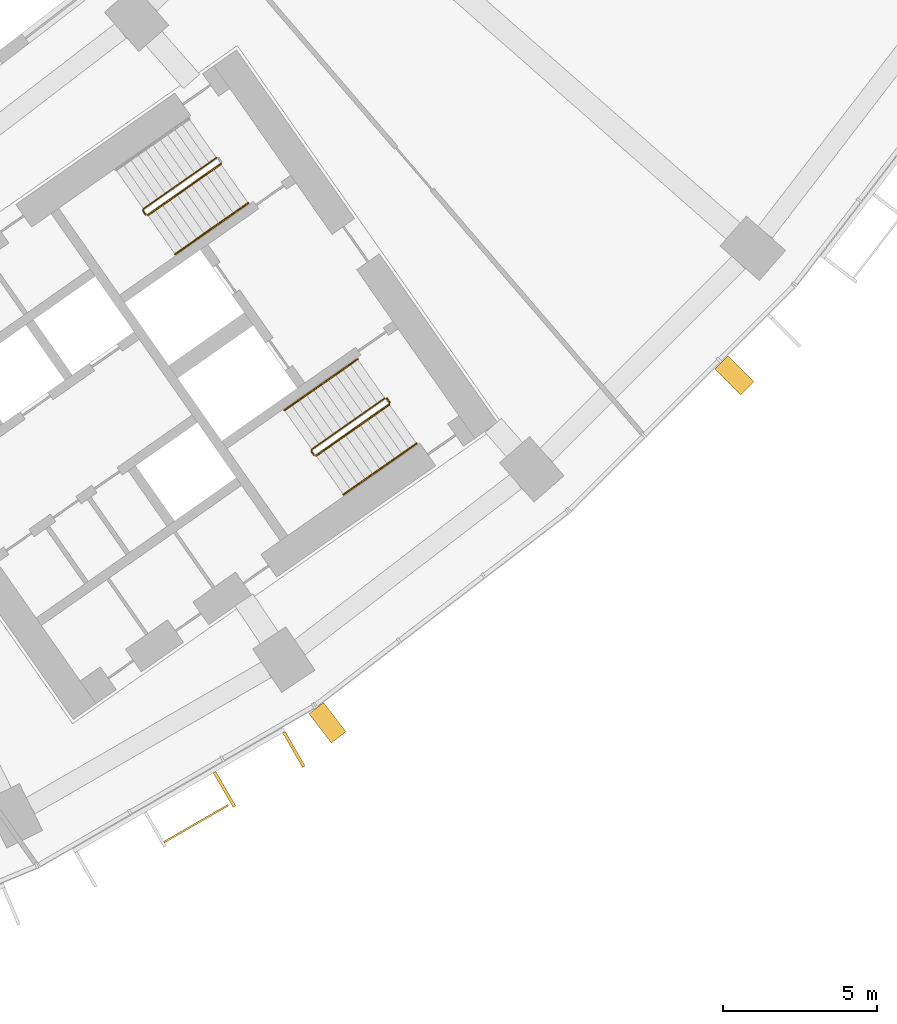
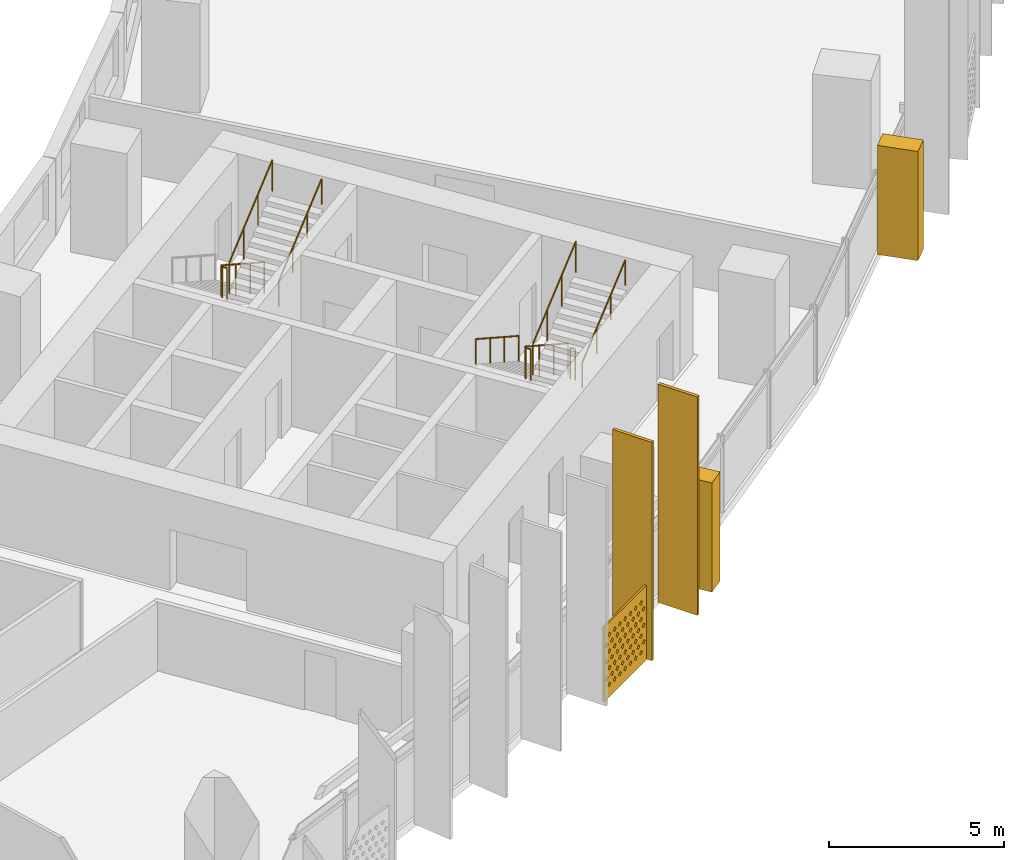
# One storey, part 31 of 32: 8 railings, 5 shading devices.
"""IFC4 building model written with IfcOpenShell, lengths in metres."""

from ifc_helpers import new_model, si_unit, direction, frame, origin, origin_2d, place, context, subcontext, project, spatial, polyline, rectangle, circle, outline, extrude, material, material_profile, profile_set, type_object, element, save


model = new_model("IFC4")

# Units and contexts
model_context = context("Model", 3, precision=1e-05, world=origin(), true_north=direction((0.0, 1.0)))
body_context = subcontext(model_context, "Body", "Model", "MODEL_VIEW")
ifc_project = project(units=[si_unit("LENGTHUNIT", "METRE"), si_unit("AREAUNIT", "SQUARE_METRE"), si_unit("VOLUMEUNIT", "CUBIC_METRE"), si_unit("PLANEANGLEUNIT", "RADIAN"), si_unit("MASSUNIT", "GRAM", prefix="KILO")], contexts=[model_context])

# Site, building, storey
site_placement = place(None, origin())
site = spatial("IfcSite", under=ifc_project, at=site_placement, CompositionType="ELEMENT")
building_placement = place(site_placement, origin())
building = spatial("IfcBuilding", under=site, at=building_placement, Name="Qamariyya Broadcast Tower", CompositionType="ELEMENT")
storey_placement = place(building_placement, frame((0.0, 0.0, 63.300048828125)))
storey = spatial("IfcBuildingStorey", under=building, at=storey_placement, Name="L12", CompositionType="ELEMENT", Elevation=63.300048828125)

# Shading devices
ifc_material_1 = material(Name="Steel S355 powder coated deep red", Category="steel")
shading_device_type_1 = type_object("IfcShadingDeviceType", Name="Deep red frame, powder coated steel box section", PredefinedType="USERDEFINED", material=ifc_material_1)
shading_device_1_placement = place(storey_placement, origin())
element("IfcShadingDevice", 1, at=shading_device_1_placement, inside=storey, type_object=shading_device_type_1, Name="e-frm-B1-F5-posta-L12", ObjectType="FRAME", PredefinedType="USERDEFINED", context=body_context, shape_type="SweptSolid", body=[
    extrude(outline(polyline([(44.01318359375, -66.4091796875), (44.74365234375, -67.361328125), (45.2197265625, -66.995849609375), (44.4892578125, -66.0439453125), (44.01318359375, -66.4091796875)])), origin(), (0.0, 0.0, 1.0), 3.800048828125),
])
shading_device_2_placement = place(storey_placement, origin())
element("IfcShadingDevice", 2, at=shading_device_2_placement, inside=storey, type_object=shading_device_type_1, Name="e-frm-B1-F5-postb-L12", ObjectType="FRAME", PredefinedType="USERDEFINED", context=body_context, shape_type="SweptSolid", body=[
    extrude(outline(polyline([(57.21630859375, -55.184814453125), (58.064697265625, -56.033203125), (58.489013671875, -55.60888671875), (57.640380859375, -54.760498046875), (57.21630859375, -55.184814453125)])), origin(), (0.0, 0.0, 1.0), 3.800048828125),
])
ifc_material_2 = material(Name="Perforated glazed terracotta", Category="masonry")
ifc_material_profile_1 = material_profile(ifc_material_2, outline(polyline([(-1.199951171875, -1.300048828125), (1.199951171875, -1.300048828125), (1.199951171875, 1.300048828125), (-1.199951171875, 1.300048828125), (-1.199951171875, -1.300048828125)]), holes=[polyline([(-0.81494140625, -0.86669921875), (-0.89990234375, -0.78173828125), (-0.985107421875, -0.86669921875), (-0.89990234375, -0.95166015625), (-0.81494140625, -0.86669921875)]), polyline([(-0.514892578125, -0.86669921875), (-0.60009765625, -0.78173828125), (-0.68505859375, -0.86669921875), (-0.60009765625, -0.95166015625), (-0.514892578125, -0.86669921875)]), polyline([(-0.215087890625, -0.86669921875), (-0.300048828125, -0.78173828125), (-0.385009765625, -0.86669921875), (-0.300048828125, -0.95166015625), (-0.215087890625, -0.86669921875)]), polyline([(0.0849609375, -0.86669921875), (0.0, -0.78173828125), (-0.0849609375, -0.86669921875), (0.0, -0.95166015625), (0.0849609375, -0.86669921875)]), polyline([(0.385009765625, -0.86669921875), (0.300048828125, -0.78173828125), (0.215087890625, -0.86669921875), (0.300048828125, -0.95166015625), (0.385009765625, -0.86669921875)]), polyline([(0.68505859375, -0.86669921875), (0.60009765625, -0.78173828125), (0.514892578125, -0.86669921875), (0.60009765625, -0.95166015625), (0.68505859375, -0.86669921875)]), polyline([(0.985107421875, -0.86669921875), (0.89990234375, -0.78173828125), (0.81494140625, -0.86669921875), (0.89990234375, -0.95166015625), (0.985107421875, -0.86669921875)]), polyline([(-0.965087890625, -0.577880859375), (-1.050048828125, -0.49267578125), (-1.135009765625, -0.577880859375), (-1.050048828125, -0.662841796875), (-0.965087890625, -0.577880859375)]), polyline([(-0.6650390625, -0.577880859375), (-0.75, -0.49267578125), (-0.8349609375, -0.577880859375), (-0.75, -0.662841796875), (-0.6650390625, -0.577880859375)]), polyline([(-0.364990234375, -0.577880859375), (-0.449951171875, -0.49267578125), (-0.534912109375, -0.577880859375), (-0.449951171875, -0.662841796875), (-0.364990234375, -0.577880859375)]), polyline([(-0.06494140625, -0.577880859375), (-0.14990234375, -0.49267578125), (-0.235107421875, -0.577880859375), (-0.14990234375, -0.662841796875), (-0.06494140625, -0.577880859375)]), polyline([(0.235107421875, -0.577880859375), (0.14990234375, -0.49267578125), (0.06494140625, -0.577880859375), (0.14990234375, -0.662841796875), (0.235107421875, -0.577880859375)]), polyline([(0.534912109375, -0.577880859375), (0.449951171875, -0.49267578125), (0.364990234375, -0.577880859375), (0.449951171875, -0.662841796875), (0.534912109375, -0.577880859375)]), polyline([(0.8349609375, -0.577880859375), (0.75, -0.49267578125), (0.6650390625, -0.577880859375), (0.75, -0.662841796875), (0.8349609375, -0.577880859375)]), polyline([(1.135009765625, -0.577880859375), (1.050048828125, -0.49267578125), (0.965087890625, -0.577880859375), (1.050048828125, -0.662841796875), (1.135009765625, -0.577880859375)]), polyline([(-0.81494140625, -0.288818359375), (-0.89990234375, -0.203857421875), (-0.985107421875, -0.288818359375), (-0.89990234375, -0.373779296875), (-0.81494140625, -0.288818359375)]), polyline([(-0.514892578125, -0.288818359375), (-0.60009765625, -0.203857421875), (-0.68505859375, -0.288818359375), (-0.60009765625, -0.373779296875), (-0.514892578125, -0.288818359375)]), polyline([(-0.215087890625, -0.288818359375), (-0.300048828125, -0.203857421875), (-0.385009765625, -0.288818359375), (-0.300048828125, -0.373779296875), (-0.215087890625, -0.288818359375)]), polyline([(0.0849609375, -0.288818359375), (0.0, -0.203857421875), (-0.0849609375, -0.288818359375), (0.0, -0.373779296875), (0.0849609375, -0.288818359375)]), polyline([(0.385009765625, -0.288818359375), (0.300048828125, -0.203857421875), (0.215087890625, -0.288818359375), (0.300048828125, -0.373779296875), (0.385009765625, -0.288818359375)]), polyline([(0.68505859375, -0.288818359375), (0.60009765625, -0.203857421875), (0.514892578125, -0.288818359375), (0.60009765625, -0.373779296875), (0.68505859375, -0.288818359375)]), polyline([(0.985107421875, -0.288818359375), (0.89990234375, -0.203857421875), (0.81494140625, -0.288818359375), (0.89990234375, -0.373779296875), (0.985107421875, -0.288818359375)]), polyline([(-0.965087890625, 0.0), (-1.050048828125, 0.0849609375), (-1.135009765625, 0.0), (-1.050048828125, -0.0849609375), (-0.965087890625, 0.0)]), polyline([(-0.6650390625, 0.0), (-0.75, 0.0849609375), (-0.8349609375, 0.0), (-0.75, -0.0849609375), (-0.6650390625, 0.0)]), polyline([(-0.364990234375, 0.0), (-0.449951171875, 0.0849609375), (-0.534912109375, 0.0), (-0.449951171875, -0.0849609375), (-0.364990234375, 0.0)]), polyline([(-0.06494140625, 0.0), (-0.14990234375, 0.0849609375), (-0.235107421875, 0.0), (-0.14990234375, -0.0849609375), (-0.06494140625, 0.0)]), polyline([(0.235107421875, 0.0), (0.14990234375, 0.0849609375), (0.06494140625, 0.0), (0.14990234375, -0.0849609375), (0.235107421875, 0.0)]), polyline([(0.534912109375, 0.0), (0.449951171875, 0.0849609375), (0.364990234375, 0.0), (0.449951171875, -0.0849609375), (0.534912109375, 0.0)]), polyline([(0.8349609375, 0.0), (0.75, 0.0849609375), (0.6650390625, 0.0), (0.75, -0.0849609375), (0.8349609375, 0.0)]), polyline([(1.135009765625, 0.0), (1.050048828125, 0.0849609375), (0.965087890625, 0.0), (1.050048828125, -0.0849609375), (1.135009765625, 0.0)]), polyline([(-0.81494140625, 0.288818359375), (-0.89990234375, 0.373779296875), (-0.985107421875, 0.288818359375), (-0.89990234375, 0.203857421875), (-0.81494140625, 0.288818359375)]), polyline([(-0.514892578125, 0.288818359375), (-0.60009765625, 0.373779296875), (-0.68505859375, 0.288818359375), (-0.60009765625, 0.203857421875), (-0.514892578125, 0.288818359375)]), polyline([(-0.215087890625, 0.288818359375), (-0.300048828125, 0.373779296875), (-0.385009765625, 0.288818359375), (-0.300048828125, 0.203857421875), (-0.215087890625, 0.288818359375)]), polyline([(0.0849609375, 0.288818359375), (0.0, 0.373779296875), (-0.0849609375, 0.288818359375), (0.0, 0.203857421875), (0.0849609375, 0.288818359375)]), polyline([(0.385009765625, 0.288818359375), (0.300048828125, 0.373779296875), (0.215087890625, 0.288818359375), (0.300048828125, 0.203857421875), (0.385009765625, 0.288818359375)]), polyline([(0.68505859375, 0.288818359375), (0.60009765625, 0.373779296875), (0.514892578125, 0.288818359375), (0.60009765625, 0.203857421875), (0.68505859375, 0.288818359375)]), polyline([(0.985107421875, 0.288818359375), (0.89990234375, 0.373779296875), (0.81494140625, 0.288818359375), (0.89990234375, 0.203857421875), (0.985107421875, 0.288818359375)]), polyline([(-0.965087890625, 0.577880859375), (-1.050048828125, 0.662841796875), (-1.135009765625, 0.577880859375), (-1.050048828125, 0.49267578125), (-0.965087890625, 0.577880859375)]), polyline([(-0.6650390625, 0.577880859375), (-0.75, 0.662841796875), (-0.8349609375, 0.577880859375), (-0.75, 0.49267578125), (-0.6650390625, 0.577880859375)]), polyline([(-0.364990234375, 0.577880859375), (-0.449951171875, 0.662841796875), (-0.534912109375, 0.577880859375), (-0.449951171875, 0.49267578125), (-0.364990234375, 0.577880859375)]), polyline([(-0.06494140625, 0.577880859375), (-0.14990234375, 0.662841796875), (-0.235107421875, 0.577880859375), (-0.14990234375, 0.49267578125), (-0.06494140625, 0.577880859375)]), polyline([(0.235107421875, 0.577880859375), (0.14990234375, 0.662841796875), (0.06494140625, 0.577880859375), (0.14990234375, 0.49267578125), (0.235107421875, 0.577880859375)]), polyline([(0.534912109375, 0.577880859375), (0.449951171875, 0.662841796875), (0.364990234375, 0.577880859375), (0.449951171875, 0.49267578125), (0.534912109375, 0.577880859375)]), polyline([(0.8349609375, 0.577880859375), (0.75, 0.662841796875), (0.6650390625, 0.577880859375), (0.75, 0.49267578125), (0.8349609375, 0.577880859375)]), polyline([(1.135009765625, 0.577880859375), (1.050048828125, 0.662841796875), (0.965087890625, 0.577880859375), (1.050048828125, 0.49267578125), (1.135009765625, 0.577880859375)]), polyline([(-0.81494140625, 0.86669921875), (-0.89990234375, 0.95166015625), (-0.985107421875, 0.86669921875), (-0.89990234375, 0.78173828125), (-0.81494140625, 0.86669921875)]), polyline([(-0.514892578125, 0.86669921875), (-0.60009765625, 0.95166015625), (-0.68505859375, 0.86669921875), (-0.60009765625, 0.78173828125), (-0.514892578125, 0.86669921875)]), polyline([(-0.215087890625, 0.86669921875), (-0.300048828125, 0.95166015625), (-0.385009765625, 0.86669921875), (-0.300048828125, 0.78173828125), (-0.215087890625, 0.86669921875)]), polyline([(0.0849609375, 0.86669921875), (0.0, 0.95166015625), (-0.0849609375, 0.86669921875), (0.0, 0.78173828125), (0.0849609375, 0.86669921875)]), polyline([(0.385009765625, 0.86669921875), (0.300048828125, 0.95166015625), (0.215087890625, 0.86669921875), (0.300048828125, 0.78173828125), (0.385009765625, 0.86669921875)]), polyline([(0.68505859375, 0.86669921875), (0.60009765625, 0.95166015625), (0.514892578125, 0.86669921875), (0.60009765625, 0.78173828125), (0.68505859375, 0.86669921875)]), polyline([(0.985107421875, 0.86669921875), (0.89990234375, 0.95166015625), (0.81494140625, 0.86669921875), (0.89990234375, 0.78173828125), (0.985107421875, 0.86669921875)])]))
ifc_profile_set_1 = profile_set([ifc_material_profile_1], Name="Perforated glazed terracotta")
shading_device_type_2 = type_object("IfcShadingDeviceType", Name="Perforated terracotta screen 2400 x 2600", PredefinedType="USERDEFINED", material=ifc_profile_set_1)
shading_device_3_placement = place(storey_placement, frame((40.329345703125, -69.957275390625, 1.349853515625), z_axis=(0.500074377092, -0.865982457891, 0.0), x_axis=(0.865982457891, 0.500074377092, 0.0)))
element("IfcShadingDevice", 3, at=shading_device_3_placement, inside=storey, type_object=shading_device_type_2, Name="e-scr-L12-12-1", ObjectType="SCREEN", PredefinedType="USERDEFINED", context=body_context, shape_type="SweptSolid", body=[
    extrude(outline(polyline([(-1.199951171875, -1.300048828125), (1.199951171875, -1.300048828125), (1.199951171875, 1.300048828125), (-1.199951171875, 1.300048828125), (-1.199951171875, -1.300048828125)]), holes=[polyline([(-0.81494140625, -0.86669921875), (-0.89990234375, -0.78173828125), (-0.985107421875, -0.86669921875), (-0.89990234375, -0.95166015625), (-0.81494140625, -0.86669921875)]), polyline([(-0.514892578125, -0.86669921875), (-0.60009765625, -0.78173828125), (-0.68505859375, -0.86669921875), (-0.60009765625, -0.95166015625), (-0.514892578125, -0.86669921875)]), polyline([(-0.215087890625, -0.86669921875), (-0.300048828125, -0.78173828125), (-0.385009765625, -0.86669921875), (-0.300048828125, -0.95166015625), (-0.215087890625, -0.86669921875)]), polyline([(0.0849609375, -0.86669921875), (0.0, -0.78173828125), (-0.0849609375, -0.86669921875), (0.0, -0.95166015625), (0.0849609375, -0.86669921875)]), polyline([(0.385009765625, -0.86669921875), (0.300048828125, -0.78173828125), (0.215087890625, -0.86669921875), (0.300048828125, -0.95166015625), (0.385009765625, -0.86669921875)]), polyline([(0.68505859375, -0.86669921875), (0.60009765625, -0.78173828125), (0.514892578125, -0.86669921875), (0.60009765625, -0.95166015625), (0.68505859375, -0.86669921875)]), polyline([(0.985107421875, -0.86669921875), (0.89990234375, -0.78173828125), (0.81494140625, -0.86669921875), (0.89990234375, -0.95166015625), (0.985107421875, -0.86669921875)]), polyline([(-0.965087890625, -0.577880859375), (-1.050048828125, -0.49267578125), (-1.135009765625, -0.577880859375), (-1.050048828125, -0.662841796875), (-0.965087890625, -0.577880859375)]), polyline([(-0.6650390625, -0.577880859375), (-0.75, -0.49267578125), (-0.8349609375, -0.577880859375), (-0.75, -0.662841796875), (-0.6650390625, -0.577880859375)]), polyline([(-0.364990234375, -0.577880859375), (-0.449951171875, -0.49267578125), (-0.534912109375, -0.577880859375), (-0.449951171875, -0.662841796875), (-0.364990234375, -0.577880859375)]), polyline([(-0.06494140625, -0.577880859375), (-0.14990234375, -0.49267578125), (-0.235107421875, -0.577880859375), (-0.14990234375, -0.662841796875), (-0.06494140625, -0.577880859375)]), polyline([(0.235107421875, -0.577880859375), (0.14990234375, -0.49267578125), (0.06494140625, -0.577880859375), (0.14990234375, -0.662841796875), (0.235107421875, -0.577880859375)]), polyline([(0.534912109375, -0.577880859375), (0.449951171875, -0.49267578125), (0.364990234375, -0.577880859375), (0.449951171875, -0.662841796875), (0.534912109375, -0.577880859375)]), polyline([(0.8349609375, -0.577880859375), (0.75, -0.49267578125), (0.6650390625, -0.577880859375), (0.75, -0.662841796875), (0.8349609375, -0.577880859375)]), polyline([(1.135009765625, -0.577880859375), (1.050048828125, -0.49267578125), (0.965087890625, -0.577880859375), (1.050048828125, -0.662841796875), (1.135009765625, -0.577880859375)]), polyline([(-0.81494140625, -0.288818359375), (-0.89990234375, -0.203857421875), (-0.985107421875, -0.288818359375), (-0.89990234375, -0.373779296875), (-0.81494140625, -0.288818359375)]), polyline([(-0.514892578125, -0.288818359375), (-0.60009765625, -0.203857421875), (-0.68505859375, -0.288818359375), (-0.60009765625, -0.373779296875), (-0.514892578125, -0.288818359375)]), polyline([(-0.215087890625, -0.288818359375), (-0.300048828125, -0.203857421875), (-0.385009765625, -0.288818359375), (-0.300048828125, -0.373779296875), (-0.215087890625, -0.288818359375)]), polyline([(0.0849609375, -0.288818359375), (0.0, -0.203857421875), (-0.0849609375, -0.288818359375), (0.0, -0.373779296875), (0.0849609375, -0.288818359375)]), polyline([(0.385009765625, -0.288818359375), (0.300048828125, -0.203857421875), (0.215087890625, -0.288818359375), (0.300048828125, -0.373779296875), (0.385009765625, -0.288818359375)]), polyline([(0.68505859375, -0.288818359375), (0.60009765625, -0.203857421875), (0.514892578125, -0.288818359375), (0.60009765625, -0.373779296875), (0.68505859375, -0.288818359375)]), polyline([(0.985107421875, -0.288818359375), (0.89990234375, -0.203857421875), (0.81494140625, -0.288818359375), (0.89990234375, -0.373779296875), (0.985107421875, -0.288818359375)]), polyline([(-0.965087890625, 0.0), (-1.050048828125, 0.0849609375), (-1.135009765625, 0.0), (-1.050048828125, -0.0849609375), (-0.965087890625, 0.0)]), polyline([(-0.6650390625, 0.0), (-0.75, 0.0849609375), (-0.8349609375, 0.0), (-0.75, -0.0849609375), (-0.6650390625, 0.0)]), polyline([(-0.364990234375, 0.0), (-0.449951171875, 0.0849609375), (-0.534912109375, 0.0), (-0.449951171875, -0.0849609375), (-0.364990234375, 0.0)]), polyline([(-0.06494140625, 0.0), (-0.14990234375, 0.0849609375), (-0.235107421875, 0.0), (-0.14990234375, -0.0849609375), (-0.06494140625, 0.0)]), polyline([(0.235107421875, 0.0), (0.14990234375, 0.0849609375), (0.06494140625, 0.0), (0.14990234375, -0.0849609375), (0.235107421875, 0.0)]), polyline([(0.534912109375, 0.0), (0.449951171875, 0.0849609375), (0.364990234375, 0.0), (0.449951171875, -0.0849609375), (0.534912109375, 0.0)]), polyline([(0.8349609375, 0.0), (0.75, 0.0849609375), (0.6650390625, 0.0), (0.75, -0.0849609375), (0.8349609375, 0.0)]), polyline([(1.135009765625, 0.0), (1.050048828125, 0.0849609375), (0.965087890625, 0.0), (1.050048828125, -0.0849609375), (1.135009765625, 0.0)]), polyline([(-0.81494140625, 0.288818359375), (-0.89990234375, 0.373779296875), (-0.985107421875, 0.288818359375), (-0.89990234375, 0.203857421875), (-0.81494140625, 0.288818359375)]), polyline([(-0.514892578125, 0.288818359375), (-0.60009765625, 0.373779296875), (-0.68505859375, 0.288818359375), (-0.60009765625, 0.203857421875), (-0.514892578125, 0.288818359375)]), polyline([(-0.215087890625, 0.288818359375), (-0.300048828125, 0.373779296875), (-0.385009765625, 0.288818359375), (-0.300048828125, 0.203857421875), (-0.215087890625, 0.288818359375)]), polyline([(0.0849609375, 0.288818359375), (0.0, 0.373779296875), (-0.0849609375, 0.288818359375), (0.0, 0.203857421875), (0.0849609375, 0.288818359375)]), polyline([(0.385009765625, 0.288818359375), (0.300048828125, 0.373779296875), (0.215087890625, 0.288818359375), (0.300048828125, 0.203857421875), (0.385009765625, 0.288818359375)]), polyline([(0.68505859375, 0.288818359375), (0.60009765625, 0.373779296875), (0.514892578125, 0.288818359375), (0.60009765625, 0.203857421875), (0.68505859375, 0.288818359375)]), polyline([(0.985107421875, 0.288818359375), (0.89990234375, 0.373779296875), (0.81494140625, 0.288818359375), (0.89990234375, 0.203857421875), (0.985107421875, 0.288818359375)]), polyline([(-0.965087890625, 0.577880859375), (-1.050048828125, 0.662841796875), (-1.135009765625, 0.577880859375), (-1.050048828125, 0.49267578125), (-0.965087890625, 0.577880859375)]), polyline([(-0.6650390625, 0.577880859375), (-0.75, 0.662841796875), (-0.8349609375, 0.577880859375), (-0.75, 0.49267578125), (-0.6650390625, 0.577880859375)]), polyline([(-0.364990234375, 0.577880859375), (-0.449951171875, 0.662841796875), (-0.534912109375, 0.577880859375), (-0.449951171875, 0.49267578125), (-0.364990234375, 0.577880859375)]), polyline([(-0.06494140625, 0.577880859375), (-0.14990234375, 0.662841796875), (-0.235107421875, 0.577880859375), (-0.14990234375, 0.49267578125), (-0.06494140625, 0.577880859375)]), polyline([(0.235107421875, 0.577880859375), (0.14990234375, 0.662841796875), (0.06494140625, 0.577880859375), (0.14990234375, 0.49267578125), (0.235107421875, 0.577880859375)]), polyline([(0.534912109375, 0.577880859375), (0.449951171875, 0.662841796875), (0.364990234375, 0.577880859375), (0.449951171875, 0.49267578125), (0.534912109375, 0.577880859375)]), polyline([(0.8349609375, 0.577880859375), (0.75, 0.662841796875), (0.6650390625, 0.577880859375), (0.75, 0.49267578125), (0.8349609375, 0.577880859375)]), polyline([(1.135009765625, 0.577880859375), (1.050048828125, 0.662841796875), (0.965087890625, 0.577880859375), (1.050048828125, 0.49267578125), (1.135009765625, 0.577880859375)]), polyline([(-0.81494140625, 0.86669921875), (-0.89990234375, 0.95166015625), (-0.985107421875, 0.86669921875), (-0.89990234375, 0.78173828125), (-0.81494140625, 0.86669921875)]), polyline([(-0.514892578125, 0.86669921875), (-0.60009765625, 0.95166015625), (-0.68505859375, 0.86669921875), (-0.60009765625, 0.78173828125), (-0.514892578125, 0.86669921875)]), polyline([(-0.215087890625, 0.86669921875), (-0.300048828125, 0.95166015625), (-0.385009765625, 0.86669921875), (-0.300048828125, 0.78173828125), (-0.215087890625, 0.86669921875)]), polyline([(0.0849609375, 0.86669921875), (0.0, 0.95166015625), (-0.0849609375, 0.86669921875), (0.0, 0.78173828125), (0.0849609375, 0.86669921875)]), polyline([(0.385009765625, 0.86669921875), (0.300048828125, 0.95166015625), (0.215087890625, 0.86669921875), (0.300048828125, 0.78173828125), (0.385009765625, 0.86669921875)]), polyline([(0.68505859375, 0.86669921875), (0.60009765625, 0.95166015625), (0.514892578125, 0.86669921875), (0.60009765625, 0.78173828125), (0.68505859375, 0.86669921875)]), polyline([(0.985107421875, 0.86669921875), (0.89990234375, 0.95166015625), (0.81494140625, 0.86669921875), (0.89990234375, 0.78173828125), (0.985107421875, 0.86669921875)])]), origin(), (0.0, 0.0, 1.0), 0.06005859375),
])

# Railings
ifc_material_3 = material(Name="Painted steel", Category="steel")
railing_type_1 = type_object("IfcRailingType", Name="Stair guard", PredefinedType="GUARDRAIL", material=ifc_material_3)
railing_1_placement = place(storey_placement, frame((41.003173828125, -48.320068359375, 0.172607421875)))
element("IfcRailing", 4, at=railing_1_placement, inside=storey, type_object=railing_type_1, Name="L12 ST-E2 stair guard 1", PredefinedType="GUARDRAIL", context=body_context, shape_type="SweptSolid", body=[
    extrude(circle(Radius=0.02392578125, at=origin_2d()), frame((0.0, 0.0, 1.076171875), z_axis=(-0.703770094002, -0.492783725636, 0.511734163933), x_axis=(0.573575343427, -0.819152809562, 0.0)), (0.0, 0.0, 1.0), 3.37548828125),
    extrude(circle(Radius=0.02392578125, at=origin_2d()), frame((-2.37548828125, -1.663330078125, 2.80322265625), z_axis=(-0.172799478008, -0.984957024646, 0.0), x_axis=(0.984957024646, -0.172799478008, 0.0)), (0.0, 0.0, 1.0), 0.070556640625),
    extrude(circle(Radius=0.02392578125, at=origin_2d()), frame((-2.3876953125, -1.73291015625, 2.80322265625), z_axis=(0.572588637393, -0.819842821722, 0.0), x_axis=(0.819842821722, 0.572588637393, 0.0)), (0.0, 0.0, 1.0), 0.150146484375),
    extrude(circle(Radius=0.02099609375, at=origin_2d()), origin(), (0.0, 0.0, 1.0), 1.052001953125),
    extrude(circle(Radius=0.02099609375, at=origin_2d()), frame((-0.791748046875, -0.554443359375, 0.57568359375)), (0.0, 0.0, 1.0), 1.052001953125),
    extrude(circle(Radius=0.02099609375, at=origin_2d()), frame((-1.583740234375, -1.10888671875, 1.151611328125)), (0.0, 0.0, 1.0), 1.052001953125),
    extrude(circle(Radius=0.02099609375, at=origin_2d()), frame((-2.37548828125, -1.663330078125, 1.727294921875)), (0.0, 0.0, 1.0), 1.052001953125),
    extrude(circle(Radius=0.02099609375, at=origin_2d()), frame((-2.3876953125, -1.73291015625, 1.727294921875)), (0.0, 0.0, 1.0), 1.052001953125),
    extrude(circle(Radius=0.02099609375, at=origin_2d()), frame((-2.3017578125, -1.85595703125, 1.727294921875)), (0.0, 0.0, 1.0), 1.052001953125),
])
railing_2_placement = place(storey_placement, frame((38.771240234375, -50.188232421875, 2.07275390625)))
element("IfcRailing", 5, at=railing_2_placement, inside=storey, type_object=railing_type_1, Name="L12 ST-E2 stair guard 2", PredefinedType="GUARDRAIL", context=body_context, shape_type="SweptSolid", body=[
    extrude(circle(Radius=0.02392578125, at=origin_2d()), frame((0.0, 0.0, 1.076171875), z_axis=(0.703770094002, 0.492783725636, 0.511734163933), x_axis=(-0.573575343427, 0.819152809562, 0.0)), (0.0, 0.0, 1.0), 3.37548828125),
    extrude(circle(Radius=0.02099609375, at=origin_2d()), origin(), (0.0, 0.0, 1.0), 1.052001953125),
    extrude(circle(Radius=0.02099609375, at=origin_2d()), frame((0.791748046875, 0.554443359375, 0.57568359375)), (0.0, 0.0, 1.0), 1.052001953125),
    extrude(circle(Radius=0.02099609375, at=origin_2d()), frame((1.583740234375, 1.10888671875, 1.151611328125)), (0.0, 0.0, 1.0), 1.052001953125),
    extrude(circle(Radius=0.02099609375, at=origin_2d()), frame((2.37548828125, 1.663330078125, 1.727294921875)), (0.0, 0.0, 1.0), 1.052001953125),
])
railing_3_placement = place(storey_placement, frame((46.48095703125, -56.14306640625, 0.172607421875)))
element("IfcRailing", 6, at=railing_3_placement, inside=storey, type_object=railing_type_1, Name="L12 ST-E1 stair guard 1", PredefinedType="GUARDRAIL", context=body_context, shape_type="SweptSolid", body=[
    extrude(circle(Radius=0.02392578125, at=origin_2d()), frame((0.0, 0.0, 1.076171875), z_axis=(-0.703770094002, -0.492783725636, 0.511734163933), x_axis=(0.573575343427, -0.819152809562, 0.0)), (0.0, 0.0, 1.0), 3.37548828125),
    extrude(circle(Radius=0.02392578125, at=origin_2d()), frame((-2.37548828125, -1.663330078125, 2.80322265625), z_axis=(-0.176149252506, -0.984363469884, 0.0), x_axis=(0.984363469884, -0.176149252506, 0.0)), (0.0, 0.0, 1.0), 0.07080078125),
    extrude(circle(Radius=0.02392578125, at=origin_2d()), frame((-2.387939453125, -1.73291015625, 2.80322265625), z_axis=(0.574444878118, -0.818543268254, 0.0), x_axis=(0.818543268254, 0.574444878118, 0.0)), (0.0, 0.0, 1.0), 0.150146484375),
    extrude(circle(Radius=0.02099609375, at=origin_2d()), origin(), (0.0, 0.0, 1.0), 1.052001953125),
    extrude(circle(Radius=0.02099609375, at=origin_2d()), frame((-0.791748046875, -0.554443359375, 0.57568359375)), (0.0, 0.0, 1.0), 1.052001953125),
    extrude(circle(Radius=0.02099609375, at=origin_2d()), frame((-1.583740234375, -1.10888671875, 1.151611328125)), (0.0, 0.0, 1.0), 1.052001953125),
    extrude(circle(Radius=0.02099609375, at=origin_2d()), frame((-2.37548828125, -1.663330078125, 1.727294921875)), (0.0, 0.0, 1.0), 1.052001953125),
    extrude(circle(Radius=0.02099609375, at=origin_2d()), frame((-2.387939453125, -1.73291015625, 1.727294921875)), (0.0, 0.0, 1.0), 1.052001953125),
    extrude(circle(Radius=0.02099609375, at=origin_2d()), frame((-2.3017578125, -1.855712890625, 1.727294921875)), (0.0, 0.0, 1.0), 1.052001953125),
])
railing_4_placement = place(storey_placement, frame((44.248779296875, -58.01123046875, 2.07275390625)))
element("IfcRailing", 7, at=railing_4_placement, inside=storey, type_object=railing_type_1, Name="L12 ST-E1 stair guard 2", PredefinedType="GUARDRAIL", context=body_context, shape_type="SweptSolid", body=[
    extrude(circle(Radius=0.02392578125, at=origin_2d()), frame((0.0, 0.0, 1.076171875), z_axis=(0.703745009021, 0.492838488332, 0.511715923826), x_axis=(-0.573631830683, 0.819113253969, 0.0)), (0.0, 0.0, 1.0), 3.37548828125),
    extrude(circle(Radius=0.02099609375, at=origin_2d()), origin(), (0.0, 0.0, 1.0), 1.052001953125),
    extrude(circle(Radius=0.02099609375, at=origin_2d()), frame((0.791748046875, 0.554443359375, 0.57568359375)), (0.0, 0.0, 1.0), 1.052001953125),
    extrude(circle(Radius=0.02099609375, at=origin_2d()), frame((1.583740234375, 1.109130859375, 1.151611328125)), (0.0, 0.0, 1.0), 1.052001953125),
    extrude(circle(Radius=0.02099609375, at=origin_2d()), frame((2.37548828125, 1.66357421875, 1.727294921875)), (0.0, 0.0, 1.0), 1.052001953125),
])
railing_5_placement = place(storey_placement, frame((46.550537109375, -56.1552734375, 0.0)))
element("IfcRailing", 8, at=railing_5_placement, inside=storey, type_object=railing_type_1, Name="L12 ST-E1 stair guard 3", PredefinedType="GUARDRAIL", context=body_context, shape_type="SweptSolid", body=[
    extrude(circle(Radius=0.02392578125, at=origin_2d()), frame((0.0, 0.0, 1.076171875), z_axis=(0.574444878118, -0.818543268254, 0.0), x_axis=(0.818543268254, 0.574444878118, 0.0)), (0.0, 0.0, 1.0), 0.150146484375),
    extrude(circle(Radius=0.02099609375, at=origin_2d()), origin(), (0.0, 0.0, 1.0), 1.052001953125),
    extrude(circle(Radius=0.02099609375, at=origin_2d()), frame((0.086181640625, -0.122802734375, 0.0)), (0.0, 0.0, 1.0), 1.052001953125),
])
ifc_material_4 = material(Name="Stainless steel", Category="steel")
railing_type_2 = type_object("IfcRailingType", Name="Stair handrail", PredefinedType="HANDRAIL", material=ifc_material_4)
railing_6_placement = place(storey_placement, frame((39.66015625, -51.4580078125, 2.07275390625)))
element("IfcRailing", 9, at=railing_6_placement, inside=storey, type_object=railing_type_2, Name="L12 ST-E2 stair handrail 2", PredefinedType="HANDRAIL", context=body_context, shape_type="SweptSolid", body=[
    extrude(circle(Radius=0.02392578125, at=origin_2d()), frame((0.0, 0.0, 0.8759765625), z_axis=(0.703745009021, 0.492838488332, 0.511715923826), x_axis=(-0.573631830683, 0.819113253969, 0.0)), (0.0, 0.0, 1.0), 3.37548828125),
    extrude(circle(Radius=0.02099609375, at=origin_2d()), origin(), (0.0, 0.0, 1.0), 0.851806640625),
    extrude(circle(Radius=0.02099609375, at=origin_2d()), frame((0.791748046875, 0.554443359375, 0.57568359375)), (0.0, 0.0, 1.0), 0.851806640625),
    extrude(circle(Radius=0.02099609375, at=origin_2d()), frame((1.583740234375, 1.109130859375, 1.151611328125)), (0.0, 0.0, 1.0), 0.851806640625),
    extrude(circle(Radius=0.02099609375, at=origin_2d()), frame((2.37548828125, 1.66357421875, 1.727294921875)), (0.0, 0.0, 1.0), 0.851806640625),
])
railing_7_placement = place(storey_placement, frame((45.591796875, -54.873291015625, 0.172607421875)))
element("IfcRailing", 10, at=railing_7_placement, inside=storey, type_object=railing_type_2, Name="L12 ST-E1 stair handrail 1", PredefinedType="HANDRAIL", context=body_context, shape_type="SweptSolid", body=[
    extrude(circle(Radius=0.02392578125, at=origin_2d()), frame((0.0, 0.0, 0.8759765625), z_axis=(-0.703770094002, -0.492783725636, 0.511734163933), x_axis=(0.573575343427, -0.819152809562, 0.0)), (0.0, 0.0, 1.0), 3.37548828125),
    extrude(circle(Radius=0.02099609375, at=origin_2d()), origin(), (0.0, 0.0, 1.0), 0.851806640625),
    extrude(circle(Radius=0.02099609375, at=origin_2d()), frame((-0.791748046875, -0.554443359375, 0.57568359375)), (0.0, 0.0, 1.0), 0.851806640625),
    extrude(circle(Radius=0.02099609375, at=origin_2d()), frame((-1.583740234375, -1.10888671875, 1.151611328125)), (0.0, 0.0, 1.0), 0.851806640625),
    extrude(circle(Radius=0.02099609375, at=origin_2d()), frame((-2.37548828125, -1.663330078125, 1.727294921875)), (0.0, 0.0, 1.0), 0.851806640625),
])
railing_8_placement = place(storey_placement, frame((45.137939453125, -59.28076171875, 2.07275390625)))
element("IfcRailing", 11, at=railing_8_placement, inside=storey, type_object=railing_type_2, Name="L12 ST-E1 stair handrail 2", PredefinedType="HANDRAIL", context=body_context, shape_type="SweptSolid", body=[
    extrude(circle(Radius=0.02392578125, at=origin_2d()), frame((0.0, 0.0, 0.8759765625), z_axis=(0.703770094002, 0.492783725636, 0.511734163933), x_axis=(-0.573575343427, 0.819152809562, 0.0)), (0.0, 0.0, 1.0), 3.37548828125),
    extrude(circle(Radius=0.02099609375, at=origin_2d()), origin(), (0.0, 0.0, 1.0), 0.851806640625),
    extrude(circle(Radius=0.02099609375, at=origin_2d()), frame((0.791748046875, 0.554443359375, 0.57568359375)), (0.0, 0.0, 1.0), 0.851806640625),
    extrude(circle(Radius=0.02099609375, at=origin_2d()), frame((1.583740234375, 1.10888671875, 1.151611328125)), (0.0, 0.0, 1.0), 0.851806640625),
    extrude(circle(Radius=0.02099609375, at=origin_2d()), frame((2.37548828125, 1.663330078125, 1.727294921875)), (0.0, 0.0, 1.0), 0.851806640625),
])

# Shading devices
ifc_material_5 = material(Name="Glazed terracotta", Category="masonry")
ifc_material_profile_2 = material_profile(ifc_material_5, rectangle(XDim=1.300048828125, YDim=0.10009765625, at=origin_2d()))
ifc_profile_set_2 = profile_set([ifc_material_profile_2], Name="Glazed terracotta")
shading_device_type_3 = type_object("IfcShadingDeviceType", Name="Terracotta fin 100 x 1300", PredefinedType="USERDEFINED", material=ifc_profile_set_2)
for number, where, z_axis, x_axis, name in (
    (12, (41.267578125, -68.872802734375, 0.0), (0.0, 0.0, 1.0), (0.5, -0.866025403784, 0.0), "e-fin-L12-12-2"),
    (13, (43.523193359375, -67.570556640625, 0.0), (0.0, 0.0, 1.0), (0.5, -0.866025403784, 0.0), "e-fin-L12-12-3"),
):
    element("IfcShadingDevice", number, at=place(storey_placement, frame(where, z_axis=z_axis, x_axis=x_axis)), inside=storey, type_object=shading_device_type_3, Name=name, ObjectType="FIN", PredefinedType="USERDEFINED", context=body_context, shape_type="SweptSolid", body=[
        extrude(rectangle(XDim=1.300048828125, YDim=0.10009765625, at=origin_2d()), origin(), (0.0, 0.0, 1.0), 7.599853515625),
    ])

save(model, "model.ifc")
